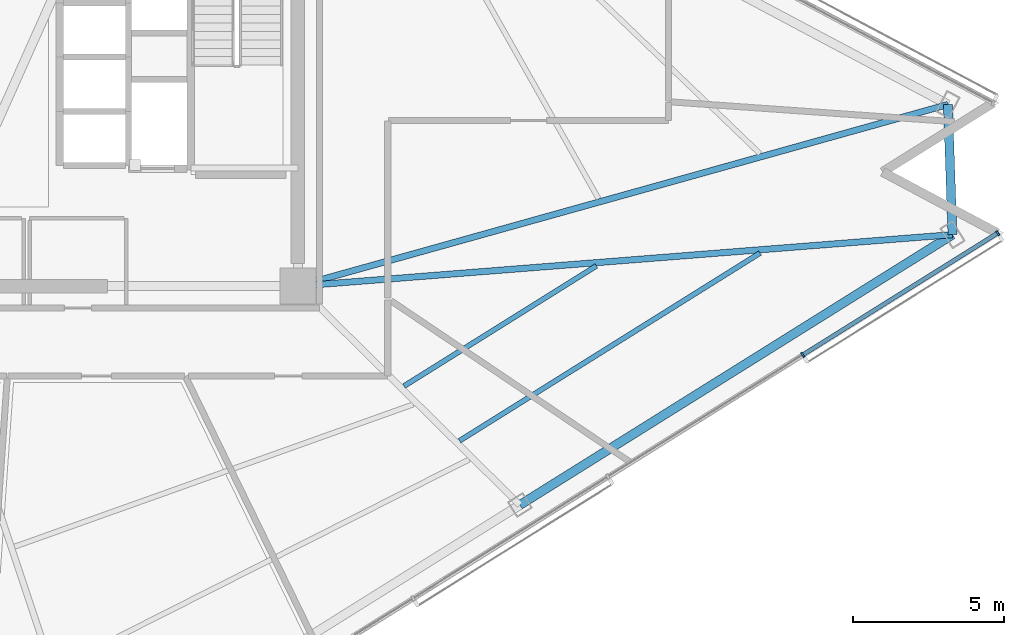
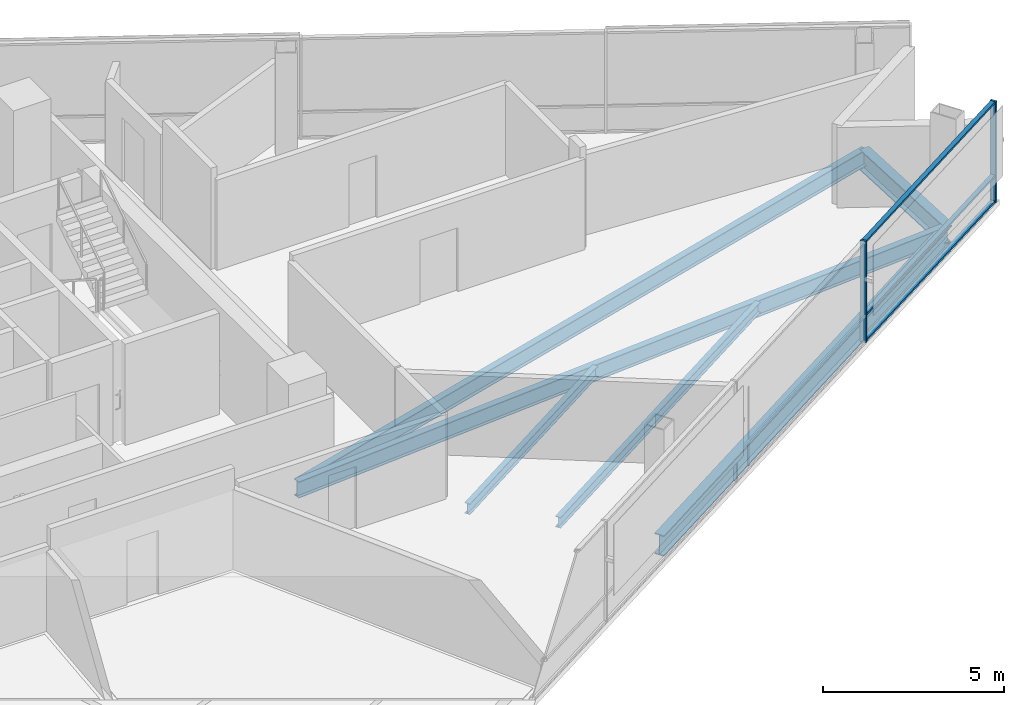
# One storey, part 6 of 20: 6 beams, 5 members, 1 element without a shape of its own.
"""IFC4 building model written with IfcOpenShell, lengths in metres."""

from ifc_helpers import new_model, si_unit, direction, frame, origin, origin_2d, place, context, subcontext, project, spatial, rectangle, i_section, extrude, material, layer, layer_set, material_profile, profile_set, type_object, element, aggregate, save


model = new_model("IFC4")

# Units and contexts
model_context = context("Model", 3, precision=1e-05, world=origin(), true_north=direction((0.0, 1.0)))
body_context = subcontext(model_context, "Body", "Model", "MODEL_VIEW")
ifc_project = project(units=[si_unit("LENGTHUNIT", "METRE"), si_unit("AREAUNIT", "SQUARE_METRE"), si_unit("VOLUMEUNIT", "CUBIC_METRE"), si_unit("PLANEANGLEUNIT", "RADIAN"), si_unit("MASSUNIT", "GRAM", prefix="KILO")], contexts=[model_context])

# Site, building, storey
site_placement = place(None, origin())
site = spatial("IfcSite", under=ifc_project, at=site_placement, CompositionType="ELEMENT")
building_placement = place(site_placement, origin())
building = spatial("IfcBuilding", under=site, at=building_placement, Name="Tharavind Bronze Gate", CompositionType="ELEMENT")
storey_placement = place(building_placement, frame((0.0, 0.0, 149.60009765625)))
storey = spatial("IfcBuildingStorey", under=building, at=storey_placement, Name="L38", CompositionType="ELEMENT", Elevation=149.60009765625)

# Curtain wall, members
ifc_material_1 = material(Name="Anodised Bronze Aluminium", Category="aluminium")
ifc_layer = layer(ifc_material_1, 0.219970703125)
ifc_layer_set = layer_set([ifc_layer], Name="Anodised Bronze Aluminium")
curtain_wall_type = type_object("IfcCurtainWallType", Name="UNITISED CURTAIN WALL MID OFFICE", PredefinedType="USERDEFINED", material=ifc_layer_set)
curtain_wall_placement = place(storey_placement, origin())
curtain_wall = element("IfcCurtainWall", 1, at=curtain_wall_placement, inside=storey, type_object=curtain_wall_type, Name="L38 unitised curtain wall mid office CW-L38-S2", ObjectType="UNITISED CURTAIN WALL", PredefinedType="USERDEFINED")
member_type_1 = type_object("IfcMemberType", Name="CURTAIN WALL BRONZE MULLION 65X180", PredefinedType="MULLION", material=ifc_material_1)
member_1_placement = place(storey_placement, frame((25.649169921875, -9.8798828125, 0.0), z_axis=(0.0, 0.0, 1.0), x_axis=(0.848048096156, 0.529919264233, 0.0)))
member_1 = element("IfcMember", 2, at=member_1_placement, type_object=member_type_1, Name="CW-L38-S2 mullion 7", PredefinedType="MULLION", context=body_context, shape_type="SweptSolid", body=[
    extrude(rectangle(XDim=0.06494140625, YDim=0.179931640625, at=origin_2d()), origin(), (0.0, 0.0, 1.0), 3.409912109375),
])
member_2_placement = place(storey_placement, frame((32.114501953125, -5.83984375, 0.0), z_axis=(0.0, 0.0, 1.0), x_axis=(0.848048096156, 0.529919264233, 0.0)))
member_2 = element("IfcMember", 3, at=member_2_placement, type_object=member_type_1, Name="CW-L38-S2 mullion 8", PredefinedType="MULLION", context=body_context, shape_type="SweptSolid", body=[
    extrude(rectangle(XDim=0.06494140625, YDim=0.179931640625, at=origin_2d()), origin(), (0.0, 0.0, 1.0), 3.409912109375),
])
member_type_2 = type_object("IfcMemberType", Name="CURTAIN WALL BRONZE TRANSOM 65X140", PredefinedType="USERDEFINED", material=ifc_material_1)
member_3_placement = place(storey_placement, frame((28.8818359375, -7.85986328125, 0.0), z_axis=(0.0, 0.0, 1.0), x_axis=(0.848048096156, 0.529919264233, 0.0)))
member_3 = element("IfcMember", 4, at=member_3_placement, type_object=member_type_2, Name="CW-L38-S2 transom TB7", ObjectType="TRANSOM", PredefinedType="USERDEFINED", context=body_context, shape_type="SweptSolid", body=[
    extrude(rectangle(XDim=7.57080078125, YDim=0.139892578125, at=origin_2d()), origin(), (0.0, 0.0, 1.0), 0.06494140625),
])
member_4_placement = place(storey_placement, frame((28.8818359375, -7.85986328125, 0.867431640625), z_axis=(0.0, 0.0, 1.0), x_axis=(0.848048096156, 0.529919264233, 0.0)))
member_4 = element("IfcMember", 5, at=member_4_placement, type_object=member_type_2, Name="CW-L38-S2 transom TS7", ObjectType="TRANSOM", PredefinedType="USERDEFINED", context=body_context, shape_type="SweptSolid", body=[
    extrude(rectangle(XDim=7.57080078125, YDim=0.139892578125, at=origin_2d()), origin(), (0.0, 0.0, 1.0), 0.06494140625),
])
member_5_placement = place(storey_placement, frame((28.8818359375, -7.85986328125, 3.344970703125), z_axis=(0.0, 0.0, 1.0), x_axis=(0.848048096156, 0.529919264233, 0.0)))
member_5 = element("IfcMember", 6, at=member_5_placement, type_object=member_type_2, Name="CW-L38-S2 transom TT7", ObjectType="TRANSOM", PredefinedType="USERDEFINED", context=body_context, shape_type="SweptSolid", body=[
    extrude(rectangle(XDim=7.57080078125, YDim=0.139892578125, at=origin_2d()), origin(), (0.0, 0.0, 1.0), 0.06494140625),
])
aggregate(curtain_wall, [member_1, member_2, member_3, member_4, member_5])

# Beams
ifc_material_2 = material(Name="Steel S355", Category="steel")
ifc_material_profile_1 = material_profile(ifc_material_2, i_section(OverallWidth=0.2099609375, OverallDepth=0.550048828125, WebThickness=0.010986328125, FlangeThickness=0.01708984375, at=origin_2d()), Name="IPE550")
ifc_profile_set_1 = profile_set([ifc_material_profile_1], Name="Steel S355")
beam_type_1 = type_object("IfcBeamType", Name="PRIMARY GIRDER IPE550", PredefinedType="USERDEFINED", material=ifc_profile_set_1)
beam_1_placement = place(storey_placement, frame((30.615478515625, -5.89208984375, -0.465087890625), z_axis=(-0.996921085332, -0.07841141256, 0.0), x_axis=(0.07841141256, -0.996921085332, 0.0)))
element("IfcBeam", 7, at=beam_1_placement, inside=storey, type_object=beam_type_1, Name="L38 primary girder ipe550 BM-L38-RAD08", ObjectType="GIRDER", PredefinedType="USERDEFINED", context=body_context, shape_type="SweptSolid", body=[
    extrude(i_section(OverallWidth=0.2099609375, OverallDepth=0.550048828125, WebThickness=0.010986328125, FlangeThickness=0.01708984375, at=origin_2d()), origin(), (0.0, 0.0, 1.0), 21.78271484375),
])
beam_2_placement = place(storey_placement, frame((30.46484375, -1.57470703125, -0.465087890625), z_axis=(-0.96311222074, -0.269100074809, 0.0), x_axis=(0.269100074809, -0.96311222074, 0.0)))
element("IfcBeam", 8, at=beam_2_placement, inside=storey, type_object=beam_type_1, Name="L38 primary girder ipe550 BM-L38-RAD09", ObjectType="GIRDER", PredefinedType="USERDEFINED", context=body_context, shape_type="SweptSolid", body=[
    extrude(i_section(OverallWidth=0.2099609375, OverallDepth=0.550048828125, WebThickness=0.010986328125, FlangeThickness=0.01708984375, at=origin_2d()), origin(), (0.0, 0.0, 1.0), 22.390869140625),
])
ifc_material_profile_2 = material_profile(ifc_material_2, i_section(OverallWidth=0.300048828125, OverallDepth=0.699951171875, WebThickness=0.01708984375, FlangeThickness=0.031982421875, at=origin_2d()), Name="HE700B")
ifc_profile_set_2 = profile_set([ifc_material_profile_2], Name="Steel S355")
beam_type_2 = type_object("IfcBeamType", Name="RING GIRDER HE700B", PredefinedType="USERDEFINED", material=ifc_profile_set_2)
beam_3_placement = place(storey_placement, frame((16.263916015625, -14.860107421875, -0.5400390625), z_axis=(0.84804368744, 0.529926319589, 0.0), x_axis=(-0.529926319589, 0.84804368744, 0.0)))
element("IfcBeam", 9, at=beam_3_placement, inside=storey, type_object=beam_type_2, Name="L38 ring girder he700b BM-L38-PRG07", ObjectType="GIRDER", PredefinedType="USERDEFINED", context=body_context, shape_type="SweptSolid", body=[
    extrude(i_section(OverallWidth=0.300048828125, OverallDepth=0.699951171875, WebThickness=0.01708984375, FlangeThickness=0.031982421875, at=origin_2d()), origin(), (0.0, 0.0, 1.0), 16.923095703125),
])
beam_4_placement = place(storey_placement, frame((30.615478515625, -5.89208984375, -0.5400390625), z_axis=(-0.034869079132, 0.999391888761, 0.0), x_axis=(-0.999391888761, -0.034869079132, 0.0)))
element("IfcBeam", 10, at=beam_4_placement, inside=storey, type_object=beam_type_2, Name="L38 ring girder he700b BM-L38-PRG08", ObjectType="GIRDER", PredefinedType="USERDEFINED", context=body_context, shape_type="SweptSolid", body=[
    extrude(i_section(OverallWidth=0.300048828125, OverallDepth=0.699951171875, WebThickness=0.01708984375, FlangeThickness=0.031982421875, at=origin_2d()), origin(), (0.0, 0.0, 1.0), 4.320068359375),
])
ifc_material_profile_3 = material_profile(ifc_material_2, i_section(OverallWidth=0.169921875, OverallDepth=0.360107421875, WebThickness=0.008056640625, FlangeThickness=0.0126953125, at=origin_2d()), Name="IPE360")
ifc_profile_set_3 = profile_set([ifc_material_profile_3], Name="Steel S355")
beam_type_3 = type_object("IfcBeamType", Name="SECONDARY FLOOR JOIST IPE360", PredefinedType="JOIST", material=ifc_profile_set_3)
beam_5_placement = place(storey_placement, frame((12.419189453125, -10.91650390625, -0.3701171875), z_axis=(0.848052974069, 0.529911457862, 0.0), x_axis=(-0.529911457862, 0.848052974069, 0.0)))
element("IfcBeam", 11, at=beam_5_placement, inside=storey, type_object=beam_type_3, Name="L38 secondary floor joist ipe360 BM-L38-JSTA07", PredefinedType="JOIST", context=body_context, shape_type="SweptSolid", body=[
    extrude(i_section(OverallWidth=0.169921875, OverallDepth=0.360107421875, WebThickness=0.008056640625, FlangeThickness=0.0126953125, at=origin_2d()), origin(), (0.0, 0.0, 1.0), 7.52587890625),
])
beam_6_placement = place(storey_placement, frame((14.260009765625, -12.731689453125, -0.3701171875), z_axis=(0.848048464422, 0.529918674884, 0.0), x_axis=(-0.529918674884, 0.848048464422, 0.0)))
element("IfcBeam", 12, at=beam_6_placement, inside=storey, type_object=beam_type_3, Name="L38 secondary floor joist ipe360 BM-L38-JSTB07", PredefinedType="JOIST", context=body_context, shape_type="SweptSolid", body=[
    extrude(i_section(OverallWidth=0.169921875, OverallDepth=0.360107421875, WebThickness=0.008056640625, FlangeThickness=0.0126953125, at=origin_2d()), origin(), (0.0, 0.0, 1.0), 11.7568359375),
])

save(model, "model.ifc")
